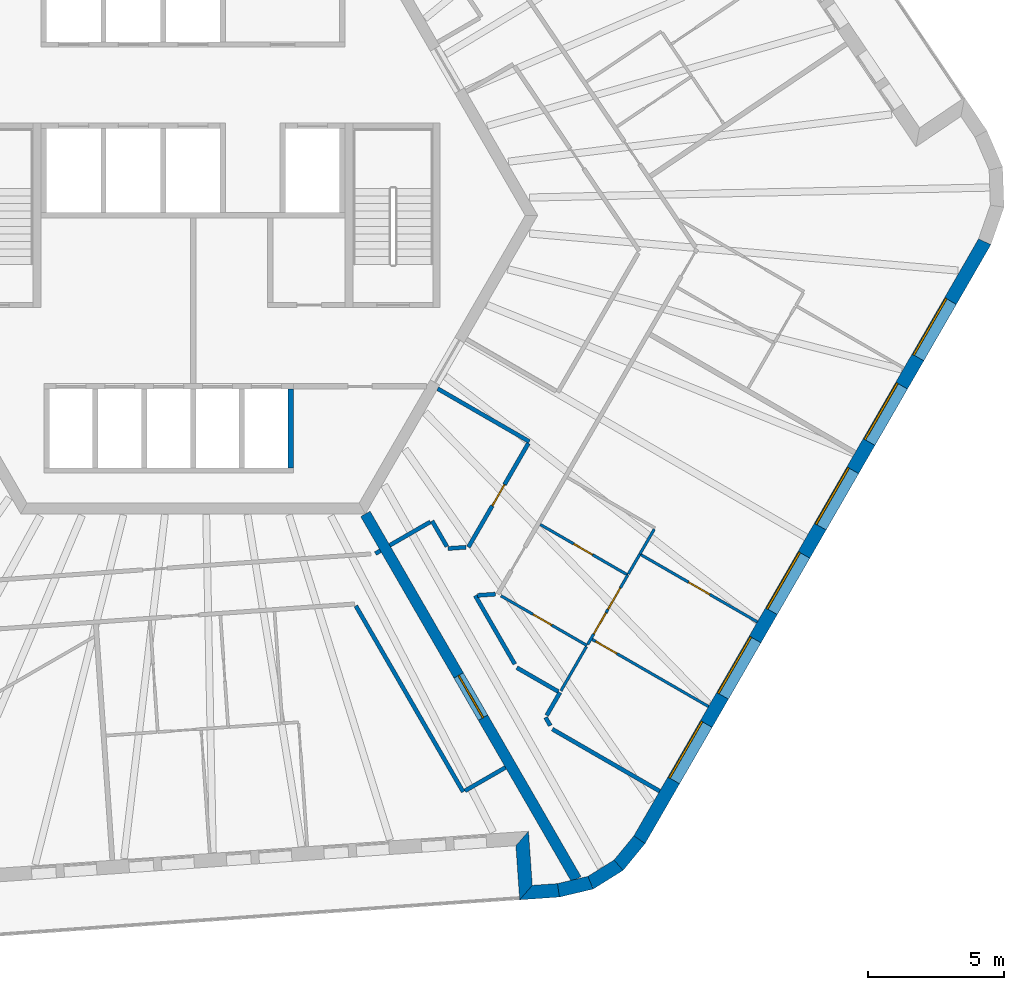
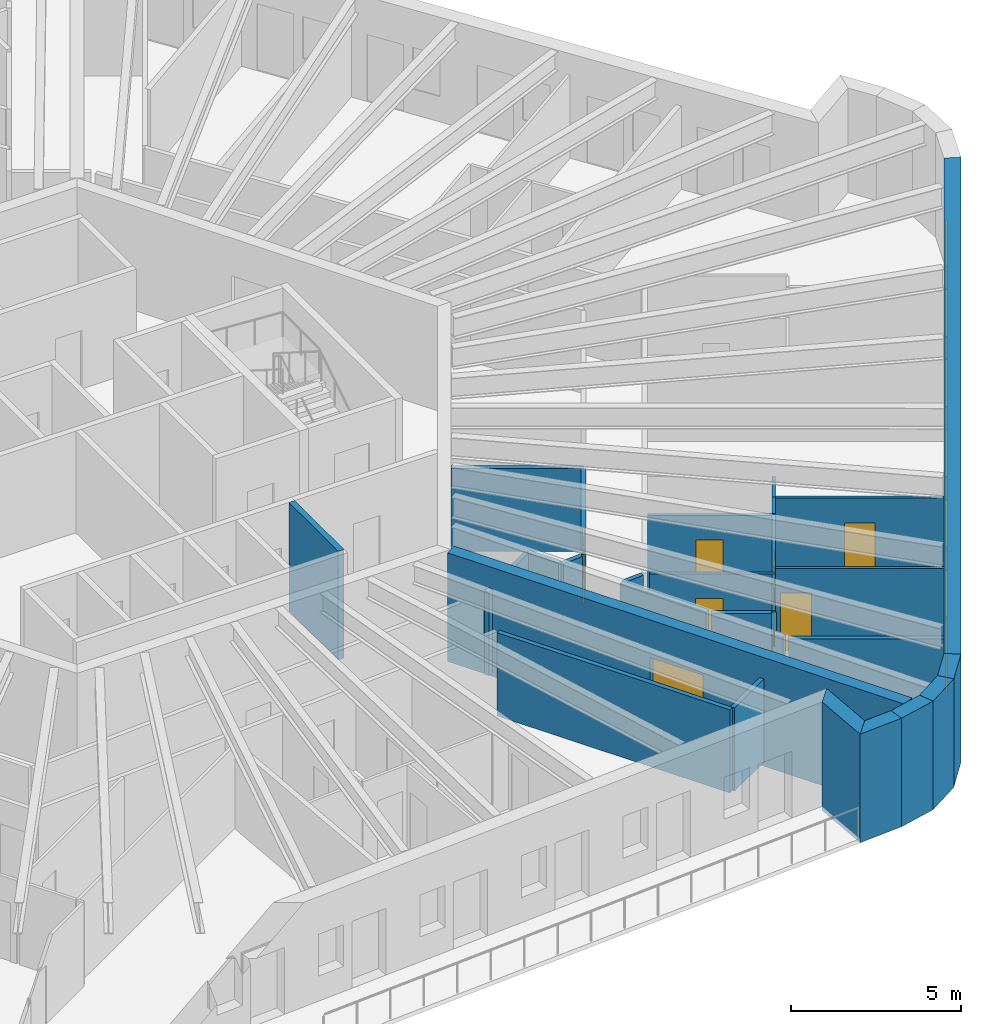
# One storey, part 6 of 12: 30 walls, 8 doors, 6 windows, 14 openings.
"""IFC4 building model written with IfcOpenShell, lengths in metres."""

import ifcopenshell
import ifcopenshell.guid

model = None  # the IFC model being written
_history = None  # IfcOwnerHistory: only IFC2X3 demands one
_inside = {}  # id of a spatial element -> (the spatial element, [elements in it])
_under = {}  # id of a project, library or spatial element -> (it, [spatial elements below it])
_declared = {}  # id of a project -> (the project, [libraries it declares])
_typed = {}  # id of a type object -> (the type object, [elements of that type])
_made_of = {}  # id of a material, layer set ... -> (it, [elements and type objects made of it])


def new_model(schema):
    """Start an empty IFC model of exactly this schema.

    Asked for "IFC4X3", IfcOpenShell would pick the latest addendum, in which some entities
    have other attributes; the version numbers below select the first issue.
    IFC2X3 requires an IfcOwnerHistory on every rooted entity: one is made here for all.
    """
    global model, _history
    if schema == "IFC4X3":
        model = ifcopenshell.file(schema_version=(4, 3, 0, 0))
    else:
        model = ifcopenshell.file(schema=schema)
    _inside.clear()
    _under.clear()
    _declared.clear()
    _typed.clear()
    _made_of.clear()
    _history = None
    if model.schema == "IFC2X3":
        org = make("IfcOrganization", Name="unknown")
        user = make(
            "IfcPersonAndOrganization",
            ThePerson=make("IfcPerson", FamilyName="unknown"),
            TheOrganization=org,
        )
        app = make(
            "IfcApplication",
            ApplicationDeveloper=org,
            Version="unknown",
            ApplicationFullName="unknown",
            ApplicationIdentifier="unknown",
        )
        _history = make(
            "IfcOwnerHistory",
            OwningUser=user,
            OwningApplication=app,
            ChangeAction="ADDED",
            CreationDate=0,
        )
    return model


def make(cls, **values):
    """One entity of the class cls with the attributes given. An attribute that is None is left unset."""
    return model.create_entity(
        cls, **{name: value for name, value in values.items() if value is not None}
    )


def rooted(cls, **values):
    """An entity with a GlobalId (a new one), such as an element, a storey or a relation."""
    return make(cls, GlobalId=ifcopenshell.guid.new(), OwnerHistory=_history, **values)


def si_unit(unit_type, name, prefix=None):
    """IfcSIUnit, for example si_unit("LENGTHUNIT", "METRE", prefix="MILLI")."""
    return make("IfcSIUnit", UnitType=unit_type, Prefix=prefix, Name=name)


def assignment(units):
    """IfcUnitAssignment: the units of a project."""
    return None if units is None else make("IfcUnitAssignment", Units=units)


def point(xyz):
    """IfcCartesianPoint."""
    return None if xyz is None else make("IfcCartesianPoint", Coordinates=xyz)


def direction(xyz):
    """IfcDirection."""
    return None if xyz is None else make("IfcDirection", DirectionRatios=xyz)


def frame(location, z_axis=None, x_axis=None):
    """IfcAxis2Placement3D, a coordinate frame: its origin and axes. An axis left out is left unset."""
    return make(
        "IfcAxis2Placement3D",
        Location=point(location),
        Axis=direction(z_axis),
        RefDirection=direction(x_axis),
    )


def frame_2d(location, x_axis=None):
    """IfcAxis2Placement2D, a coordinate frame in the plane: its origin and x axis."""
    return make(
        "IfcAxis2Placement2D", Location=point(location), RefDirection=direction(x_axis)
    )


def origin():
    """The frame at (0, 0, 0) with its axes left unset."""
    return frame((0.0, 0.0, 0.0))


def place(relative_to, where):
    """IfcLocalPlacement: puts the frame where relative to a parent placement (None: the world)."""
    return make(
        "IfcLocalPlacement", PlacementRelTo=relative_to, RelativePlacement=where
    )


def context(
    kind, dimensions, precision=None, world=None, true_north=None, identifier=None
):
    """IfcGeometricRepresentationContext, for example the 3D "Model" context."""
    return make(
        "IfcGeometricRepresentationContext",
        ContextIdentifier=identifier,
        ContextType=kind,
        CoordinateSpaceDimension=dimensions,
        Precision=precision,
        WorldCoordinateSystem=world,
        TrueNorth=true_north,
    )


def subcontext(parent, identifier, kind, view, scale=None):
    """IfcGeometricRepresentationSubContext, for example "Body" below "Model"."""
    return make(
        "IfcGeometricRepresentationSubContext",
        ContextIdentifier=identifier,
        ContextType=kind,
        ParentContext=parent,
        TargetScale=scale,
        TargetView=view,
    )


def project(units=None, contexts=None):
    """IfcProject with its units and contexts."""
    return rooted(
        "IfcProject",
        Name="project",
        RepresentationContexts=contexts,
        UnitsInContext=assignment(units),
    )


def spatial(cls, under=None, at=None, **own):
    """A site, building, storey or space (cls), placed at a placement, below another one or the project."""
    s = rooted(cls, ObjectPlacement=at, **own)
    if under is not None:
        _under.setdefault(under.id(), (under, []))[1].append(s)
    return s


def polyline(points):
    """IfcPolyline through the points."""
    return make("IfcPolyline", Points=[point(p) for p in points])


def profile(cls, at=None, kind="AREA", **sizes):
    """A parametric profile (cls). Its sizes go by their IFC names, for example OverallWidth=200.0."""
    return make(cls, ProfileType=kind, Position=at, **sizes)


def rectangle(**sizes):
    """IfcRectangleProfileDef."""
    return profile("IfcRectangleProfileDef", **sizes)


def outline(outer, holes=None, kind="AREA"):
    """IfcArbitraryClosedProfileDef: a profile drawn as a closed curve; with holes, ...WithVoids."""
    if holes is None:
        return make("IfcArbitraryClosedProfileDef", ProfileType=kind, OuterCurve=outer)
    return make(
        "IfcArbitraryProfileDefWithVoids",
        ProfileType=kind,
        OuterCurve=outer,
        InnerCurves=holes,
    )


def extrude(swept, where, along, depth):
    """IfcExtrudedAreaSolid: the profile swept, set in the frame where, extruded along a direction by depth."""
    return make(
        "IfcExtrudedAreaSolid",
        SweptArea=swept,
        Position=where,
        ExtrudedDirection=direction(along),
        Depth=depth,
    )


def shape(context_of_items, identifier, shape_type, items):
    """IfcShapeRepresentation: the items that make up one representation, for example the "Body"."""
    return make(
        "IfcShapeRepresentation",
        ContextOfItems=context_of_items,
        RepresentationIdentifier=identifier,
        RepresentationType=shape_type,
        Items=items,
    )


def material(Name=None, Category=None):
    """IfcMaterial."""
    return make("IfcMaterial", Name=Name, Category=Category)


def layer(
    of_material, thickness, ventilated=None, Name=None, Category=None, Priority=None
):
    """IfcMaterialLayer: one layer of a wall or slab, of a material (None: an air gap)."""
    return make(
        "IfcMaterialLayer",
        Material=of_material,
        LayerThickness=thickness,
        IsVentilated=ventilated,
        Name=Name,
        Category=Category,
        Priority=Priority,
    )


def layer_set(layers, Name=None):
    """IfcMaterialLayerSet."""
    return make("IfcMaterialLayerSet", MaterialLayers=layers, LayerSetName=Name)


def made_of(thing, what):
    """Note that an element or type object is made of a material, layer set ...; save() writes the relation."""
    if what is not None:
        _made_of.setdefault(what.id(), (what, []))[1].append(thing)
    return thing


def type_object(cls, material=None, **own):
    """A type object (cls), such as IfcWallType, which elements share."""
    return made_of(rooted(cls, **own), material)


def element(
    cls,
    number,
    at=None,
    inside=None,
    cuts=None,
    type_object=None,
    material=None,
    context=None,
    identifier="Body",
    shape_type=None,
    held_by="IfcProductDefinitionShape",
    body=None,
    shapes=None,
    **own,
):
    """One element of the class cls, such as IfcWall. Its Tag is "e" and its number.

    at: its placement. inside: the storey or other place that contains it. cuts: it is an
    opening in that element (IfcRelVoidsElement). A single representation is given by context,
    identifier, shape_type and body (its items); several are given by shapes. held_by: the class
    of the entity that holds the representations. save() writes the other relations.
    """
    e = rooted(cls, Tag="e%d" % number, ObjectPlacement=at, **own)
    if body is not None:
        shapes = [shape(context, identifier, shape_type, body)]
    if shapes is not None:
        e.Representation = make(held_by, Representations=shapes)
    if inside is not None:
        _inside.setdefault(inside.id(), (inside, []))[1].append(e)
    if cuts is not None:
        rooted(
            "IfcRelVoidsElement", RelatingBuildingElement=cuts, RelatedOpeningElement=e
        )
    if type_object is not None:
        _typed.setdefault(type_object.id(), (type_object, []))[1].append(e)
    return made_of(e, material)


def fill(opening, filler):
    """IfcRelFillsElement: the door or window that sits in an opening."""
    return rooted(
        "IfcRelFillsElement",
        RelatingOpeningElement=opening,
        RelatedBuildingElement=filler,
    )


def aggregate(whole, parts):
    """IfcRelAggregates: a whole, such as a stair, and the parts it consists of."""
    return rooted("IfcRelAggregates", RelatingObject=whole, RelatedObjects=parts)


def save(model, path):
    """Write the relations noted so far, then the file.

    IfcRelAggregates (storeys below a building ...), IfcRelContainedInSpatialStructure (elements
    in a storey), IfcRelDefinesByType, IfcRelAssociatesMaterial and IfcRelDeclares: one each for
    every whole, place, type object, material and project.
    """
    for whole, parts in _under.values():
        aggregate(whole, parts)
    for where, things in _inside.values():
        rooted(
            "IfcRelContainedInSpatialStructure",
            RelatedElements=things,
            RelatingStructure=where,
        )
    for kind, things in _typed.values():
        rooted("IfcRelDefinesByType", RelatedObjects=things, RelatingType=kind)
    for what, things in _made_of.values():
        rooted("IfcRelAssociatesMaterial", RelatedObjects=things, RelatingMaterial=what)
    for by, libraries in _declared.values():
        rooted("IfcRelDeclares", RelatingContext=by, RelatedDefinitions=libraries)
    model.write(path)


model = new_model("IFC4")

# Units and contexts
model_context = context("Model", 3, precision=1e-05, world=origin(), true_north=direction((0.0, 1.0)))
body_context = subcontext(model_context, "Body", "Model", "MODEL_VIEW")
ifc_project = project(units=[si_unit("LENGTHUNIT", "METRE"), si_unit("AREAUNIT", "SQUARE_METRE"), si_unit("VOLUMEUNIT", "CUBIC_METRE"), si_unit("PLANEANGLEUNIT", "RADIAN"), si_unit("MASSUNIT", "GRAM", prefix="KILO")], contexts=[model_context])

# Site, building, storey
site_placement = place(None, origin())
site = spatial("IfcSite", under=ifc_project, at=site_placement, CompositionType="ELEMENT")
building_placement = place(site_placement, origin())
building = spatial("IfcBuilding", under=site, at=building_placement, Name="Tarnside Tower", CompositionType="ELEMENT")
storey_placement = place(building_placement, frame((0.0, 0.0, 322.5)))
storey = spatial("IfcBuildingStorey", under=building, at=storey_placement, Name="L78", CompositionType="ELEMENT", Elevation=322.5)

# Wall
ifc_material_1 = material(Name="Gypsum board partition on steel studs", Category="steel")
ifc_layer_1 = layer(ifc_material_1, 0.10009765625)
ifc_layer_set_1 = layer_set([ifc_layer_1], Name="Bathroom wall 100")
wall_type_1 = type_object("IfcWallType", Name="Bathroom wall 100", PredefinedType="PARTITIONING", material=ifc_layer_set_1)
wall_1_placement = place(storey_placement, frame((16.994873046875, -11.56396484375, 0.0), z_axis=(0.0, 0.0, 1.0), x_axis=(-0.50002815445, -0.866009148195, 0.0)))
element("IfcWall", 1, at=wall_1_placement, inside=storey, type_object=wall_type_1, Name="Bathroom wall 25147", PredefinedType="PARTITIONING", context=body_context, shape_type="SweptSolid", body=[
    extrude(rectangle(XDim=1.06005859375, YDim=0.10009765625, at=frame_2d((0.530029296875, 0.0))), origin(), (0.0, 0.0, 1.0), 2.98779296875),
])

# Wall, opening, door
wall_2_placement = place(storey_placement, frame((16.02001953125, -13.252685546875, 0.0), z_axis=(0.0, 0.0, 1.0), x_axis=(-0.866028424924, 0.499994767197, 0.0)))
wall_2 = element("IfcWall", 2, at=wall_2_placement, inside=storey, type_object=wall_type_1, Name="Bathroom wall 25151", PredefinedType="PARTITIONING", context=body_context, shape_type="SweptSolid", body=[
    extrude(rectangle(XDim=3.72509765625, YDim=0.10009765625, at=frame_2d((1.862548828125, 0.0))), origin(), (0.0, 0.0, 1.0), 2.98779296875),
])
opening_1_placement = place(wall_2_placement, frame((1.5, 0.0, 0.0)))
opening_1 = element("IfcOpeningElement", 3, at=opening_1_placement, cuts=wall_2, Name="Opening D-B1", PredefinedType="OPENING", context=body_context, shape_type="SweptSolid", body=[
    extrude(rectangle(XDim=0.800048828125, YDim=2.10009765625, at=frame_2d((0.39990234375, 1.050048828125))), frame((0.0, 0.06005859375, 0.0), z_axis=(0.0, -1.0, 0.0), x_axis=(1.0, 0.0, 0.0)), (0.0, 0.0, 1.0), 0.1201171875),
])
ifc_material_2 = material(Name="Timber door leaf", Category="wood")
door_type_1 = type_object("IfcDoorType", Name="Bathroom door 800", OperationType="NOTDEFINED", PredefinedType="DOOR", material=ifc_material_2)
door_1_placement = place(opening_1_placement, origin())
door_1 = element("IfcDoor", 4, at=door_1_placement, inside=storey, type_object=door_type_1, Name="Bathroom door 25048", OperationType="SINGLE_SWING_LEFT", OverallHeight=2.10009765625, OverallWidth=0.800048828125, PredefinedType="DOOR", context=body_context, shape_type="SweptSolid", body=[
    extrude(rectangle(XDim=0.800048828125, YDim=2.10009765625, at=frame_2d((0.39990234375, 1.050048828125))), frame((0.0, 0.02490234375, 0.0), z_axis=(0.0, -1.0, 0.0), x_axis=(1.0, 0.0, 0.0)), (0.0, 0.0, 1.0), 0.050048828125),
])
fill(opening_1, door_1)

wall_3_placement = place(storey_placement, frame((11.34521484375, -14.017822265625, 0.0), z_axis=(0.0, 0.0, 1.0), x_axis=(0.866050287132, -0.499956898301, 0.0)))
wall_3 = element("IfcWall", 5, at=wall_3_placement, inside=storey, type_object=wall_type_1, Name="Bathroom wall 25154", PredefinedType="PARTITIONING", context=body_context, shape_type="SweptSolid", body=[
    extrude(rectangle(XDim=3.665771484375, YDim=0.10009765625, at=frame_2d((1.8330078125, 0.0))), origin(), (0.0, 0.0, 1.0), 2.98779296875),
])
opening_2_placement = place(wall_3_placement, frame((1.365966796875, 0.0, 0.0)))
opening_2 = element("IfcOpeningElement", 6, at=opening_2_placement, cuts=wall_3, Name="Opening D-B1", PredefinedType="OPENING", context=body_context, shape_type="SweptSolid", body=[
    extrude(rectangle(XDim=0.800048828125, YDim=2.10009765625, at=frame_2d((0.39990234375, 1.050048828125))), frame((0.0, 0.06005859375, 0.0), z_axis=(0.0, -1.0, 0.0), x_axis=(1.0, 0.0, 0.0)), (0.0, 0.0, 1.0), 0.1201171875),
])
door_2_placement = place(opening_2_placement, origin())
door_2 = element("IfcDoor", 7, at=door_2_placement, inside=storey, type_object=door_type_1, Name="Bathroom door 25056", OperationType="SINGLE_SWING_RIGHT", OverallHeight=2.10009765625, OverallWidth=0.800048828125, PredefinedType="DOOR", context=body_context, shape_type="SweptSolid", body=[
    extrude(rectangle(XDim=0.800048828125, YDim=2.10009765625, at=frame_2d((0.39990234375, 1.050048828125))), frame((0.0, 0.02490234375, 0.0), z_axis=(0.0, -1.0, 0.0), x_axis=(1.0, 0.0, 0.0)), (0.0, 0.0, 1.0), 0.050048828125),
])
fill(opening_2, door_2)

# Walls
wall_4_placement = place(storey_placement, frame((16.0439453125, -13.2109375, 0.0), z_axis=(0.0, 0.0, 1.0), x_axis=(0.499997969693, 0.866026575979, 0.0)))
element("IfcWall", 8, at=wall_4_placement, inside=storey, type_object=wall_type_1, Name="Bathroom wall 25155", PredefinedType="PARTITIONING", context=body_context, shape_type="SweptSolid", body=[
    extrude(rectangle(XDim=0.84375, YDim=0.10009765625, at=frame_2d((0.421875, 0.0))), origin(), (0.0, 0.0, 1.0), 2.98779296875),
])
wall_5_placement = place(storey_placement, frame((14.494873046875, -15.89404296875, 0.0), z_axis=(0.0, 0.0, 1.0), x_axis=(-0.500004234368, -0.866022959057, 0.0)))
element("IfcWall", 9, at=wall_5_placement, inside=storey, type_object=wall_type_1, Name="Bathroom wall 25157", PredefinedType="PARTITIONING", context=body_context, shape_type="SweptSolid", body=[
    extrude(rectangle(XDim=1.875, YDim=0.10009765625, at=frame_2d((0.9375, 0.0))), origin(), (0.0, 0.0, 1.0), 2.98779296875),
])

# Wall, opening, door
ifc_material_3 = material(Name="Concrete C60/75", Category="concrete")
ifc_layer_2 = layer(ifc_material_3, 0.39990234375)
ifc_layer_set_2 = layer_set([ifc_layer_2], Name="Core wall Z3 400 C60/75")
wall_type_2 = type_object("IfcWallType", Name="Core wall Z3 400 C60/75", PredefinedType="SHEAR", material=ifc_layer_set_2)
wall_6_placement = place(storey_placement, frame((6.350830078125, -11.0, -0.14990234375), z_axis=(0.0, 0.0, 1.0), x_axis=(0.499998894578, -0.866026041999, 0.0)))
wall_6 = element("IfcWall", 10, at=wall_6_placement, inside=storey, type_object=wall_type_2, Name="L78 spine wall 3", PredefinedType="SHEAR", context=body_context, shape_type="SweptSolid", body=[
    extrude(rectangle(XDim=15.54443359375, YDim=0.39990234375, at=frame_2d((7.772216796875, 0.0))), origin(), (0.0, 0.0, 1.0), 3.89990234375),
])
opening_3_placement = place(wall_6_placement, frame((6.872314453125, 0.0, 0.14990234375)))
opening_3 = element("IfcOpeningElement", 11, at=opening_3_placement, cuts=wall_6, Name="Opening CD-SPN", PredefinedType="OPENING", context=body_context, shape_type="SweptSolid", body=[
    extrude(rectangle(XDim=1.800048828125, YDim=2.39990234375, at=frame_2d((0.89990234375, 1.199951171875))), frame((0.0, 0.2099609375, 0.0), z_axis=(0.0, -1.0, 0.0), x_axis=(1.0, 0.0, 0.0)), (0.0, 0.0, 1.0), 0.419921875),
])
ifc_material_4 = material(Name="Steel fire door", Category="steel")
door_type_2 = type_object("IfcDoorType", Name="Spine passage double door FD60 1800x2400", OperationType="NOTDEFINED", PredefinedType="DOOR", material=ifc_material_4)
door_3_placement = place(opening_3_placement, origin())
door_3 = element("IfcDoor", 12, at=door_3_placement, inside=storey, type_object=door_type_2, Name="L78 spine passage door 3", OperationType="DOUBLE_DOOR_SINGLE_SWING", OverallHeight=2.39990234375, OverallWidth=1.800048828125, PredefinedType="DOOR", context=body_context, shape_type="SweptSolid", body=[
    extrude(rectangle(XDim=1.800048828125, YDim=2.39990234375, at=frame_2d((0.89990234375, 1.199951171875))), frame((0.0, 0.02490234375, 0.0), z_axis=(0.0, -1.0, 0.0), x_axis=(1.0, 0.0, 0.0)), (0.0, 0.0, 1.0), 0.050048828125),
])
fill(opening_3, door_3)

# Walls
ifc_layer_3 = layer(ifc_material_1, 0.14990234375)
ifc_layer_set_3 = layer_set([ifc_layer_3], Name="Corridor wall 150 EI 60")
wall_type_3 = type_object("IfcWallType", Name="Corridor wall 150 EI 60", PredefinedType="PARTITIONING", material=ifc_layer_set_3)
wall_7_placement = place(storey_placement, frame((5.99951171875, -14.3916015625, 0.0), z_axis=(0.0, 0.0, 1.0), x_axis=(0.499999400414, -0.866025749955, 0.0)))
element("IfcWall", 13, at=wall_7_placement, inside=storey, type_object=wall_type_3, Name="Corridor wall 25039", PredefinedType="PARTITIONING", context=body_context, shape_type="SweptSolid", body=[
    extrude(rectangle(XDim=7.91064453125, YDim=0.14990234375, at=frame_2d((3.955322265625, 0.0))), origin(), (0.0, 0.0, 1.0), 2.98779296875),
])
wall_8_placement = place(storey_placement, frame((10.019775390625, -21.204833984375, 0.0), z_axis=(0.0, 0.0, 1.0), x_axis=(0.866074815912, 0.499914405916, 0.0)))
element("IfcWall", 14, at=wall_8_placement, inside=storey, type_object=wall_type_3, Name="Corridor wall 25040", PredefinedType="PARTITIONING", context=body_context, shape_type="SweptSolid", body=[
    extrude(rectangle(XDim=1.724853515625, YDim=0.14990234375, at=frame_2d((0.8623046875, 0.0))), origin(), (0.0, 0.0, 1.0), 2.98779296875),
])
wall_9_placement = place(storey_placement, frame((6.903076171875, -12.3564453125, 0.0), z_axis=(0.0, 0.0, 1.0), x_axis=(-0.866088799389, -0.499890179513, 0.0)))
element("IfcWall", 15, at=wall_9_placement, inside=storey, type_object=wall_type_3, Name="Corridor wall 25049", PredefinedType="PARTITIONING", context=body_context, shape_type="SweptSolid", body=[
    extrude(rectangle(XDim=0.2099609375, YDim=0.14990234375, at=frame_2d((0.10498046875, 0.0))), origin(), (0.0, 0.0, 1.0), 2.98779296875),
])
wall_10_placement = place(storey_placement, frame((17.196044921875, -21.215576171875, 0.0), z_axis=(0.0, 0.0, 1.0), x_axis=(-0.866028083473, 0.499995358614, 0.0)))
element("IfcWall", 16, at=wall_10_placement, inside=storey, type_object=wall_type_3, Name="Corridor wall 25056", PredefinedType="PARTITIONING", context=body_context, shape_type="SweptSolid", body=[
    extrude(rectangle(XDim=4.56884765625, YDim=0.14990234375, at=frame_2d((2.284423828125, 0.0))), origin(), (0.0, 0.0, 1.0), 2.98779296875),
])
wall_11_placement = place(storey_placement, frame((13.164306640625, -18.80126953125, 0.0), z_axis=(0.0, 0.0, 1.0), x_axis=(-0.499762962979, 0.866162213927, 0.0)))
element("IfcWall", 17, at=wall_11_placement, inside=storey, type_object=wall_type_3, Name="Corridor wall 25057", PredefinedType="PARTITIONING", context=body_context, shape_type="SweptSolid", body=[
    extrude(rectangle(XDim=0.347900390625, YDim=0.14990234375, at=frame_2d((0.173828125, 0.0))), origin(), (0.0, 0.0, 1.0), 2.98779296875),
])
wall_12_placement = place(storey_placement, frame((13.03369140625, -18.425048828125, 0.0), z_axis=(0.0, 0.0, 1.0), x_axis=(0.500011000363, 0.866019052629, 0.0)))
element("IfcWall", 18, at=wall_12_placement, inside=storey, type_object=wall_type_3, Name="Corridor wall 25058", PredefinedType="PARTITIONING", context=body_context, shape_type="SweptSolid", body=[
    extrude(rectangle(XDim=0.9765625, YDim=0.14990234375, at=frame_2d((0.48828125, 0.0))), origin(), (0.0, 0.0, 1.0), 2.98779296875),
])
wall_13_placement = place(storey_placement, frame((13.455078125, -17.545166015625, 0.0), z_axis=(0.0, 0.0, 1.0), x_axis=(-0.866074688284, 0.499914627025, 0.0)))
element("IfcWall", 19, at=wall_13_placement, inside=storey, type_object=wall_type_3, Name="Corridor wall 25059", PredefinedType="PARTITIONING", context=body_context, shape_type="SweptSolid", body=[
    extrude(rectangle(XDim=1.759521484375, YDim=0.14990234375, at=frame_2d((0.8798828125, 0.0))), origin(), (0.0, 0.0, 1.0), 2.98779296875),
])
wall_14_placement = place(storey_placement, frame((11.856201171875, -16.53564453125, 0.0), z_axis=(0.0, 0.0, 1.0), x_axis=(-0.49996389635, 0.866046247233, 0.0)))
element("IfcWall", 20, at=wall_14_placement, inside=storey, type_object=wall_type_3, Name="Corridor wall 25060", PredefinedType="PARTITIONING", context=body_context, shape_type="SweptSolid", body=[
    extrude(rectangle(XDim=2.917724609375, YDim=0.14990234375, at=frame_2d((1.458984375, 0.0))), origin(), (0.0, 0.0, 1.0), 2.98779296875),
])
wall_15_placement = place(storey_placement, frame((10.480712890625, -14.0029296875, 0.0), z_axis=(0.0, 0.0, 1.0), x_axis=(0.997577490052, 0.06956400895, 0.0)))
element("IfcWall", 21, at=wall_15_placement, inside=storey, type_object=wall_type_3, Name="Corridor wall 25061", PredefinedType="PARTITIONING", context=body_context, shape_type="SweptSolid", body=[
    extrude(rectangle(XDim=0.659912109375, YDim=0.14990234375, at=frame_2d((0.330078125, 0.0))), origin(), (0.0, 0.0, 1.0), 2.98779296875),
])
wall_16_placement = place(storey_placement, frame((9.015625, -6.38427734375, 0.0), z_axis=(0.0, 0.0, 1.0), x_axis=(0.866042777325, -0.499969906938, 0.0)))
element("IfcWall", 22, at=wall_16_placement, inside=storey, type_object=wall_type_3, Name="Corridor wall 25077", PredefinedType="PARTITIONING", context=body_context, shape_type="SweptSolid", body=[
    extrude(rectangle(XDim=3.900146484375, YDim=0.14990234375, at=frame_2d((1.9501953125, 0.0))), origin(), (0.0, 0.0, 1.0), 2.98779296875),
])

# Wall, opening, door
wall_17_placement = place(storey_placement, frame((12.355712890625, -8.399169921875, 0.0), z_axis=(0.0, 0.0, 1.0), x_axis=(-0.499993756358, -0.866029008523, 0.0)))
wall_17 = element("IfcWall", 23, at=wall_17_placement, inside=storey, type_object=wall_type_3, Name="Corridor wall 25078", PredefinedType="PARTITIONING", context=body_context, shape_type="SweptSolid", body=[
    extrude(rectangle(XDim=4.4140625, YDim=0.14990234375, at=frame_2d((2.20703125, 0.0))), origin(), (0.0, 0.0, 1.0), 2.98779296875),
])
opening_4_placement = place(wall_17_placement, frame((1.7568359375, 0.0, 0.0)))
opening_4 = element("IfcOpeningElement", 24, at=opening_4_placement, cuts=wall_17, Name="Opening D-S1", PredefinedType="OPENING", context=body_context, shape_type="SweptSolid", body=[
    extrude(rectangle(XDim=0.89990234375, YDim=2.10009765625, at=frame_2d((0.449951171875, 1.050048828125))), frame((0.0, 0.0849609375, 0.0), z_axis=(0.0, -1.0, 0.0), x_axis=(1.0, 0.0, 0.0)), (0.0, 0.0, 1.0), 0.169921875),
])
door_type_3 = type_object("IfcDoorType", Name="Service room door 900 FD30S", OperationType="NOTDEFINED", PredefinedType="DOOR", material=ifc_material_2)
door_4_placement = place(opening_4_placement, origin())
door_4 = element("IfcDoor", 25, at=door_4_placement, inside=storey, type_object=door_type_3, Name="Service door 25076", OperationType="SINGLE_SWING_LEFT", OverallHeight=2.10009765625, OverallWidth=0.89990234375, PredefinedType="DOOR", context=body_context, shape_type="SweptSolid", body=[
    extrude(rectangle(XDim=0.89990234375, YDim=2.10009765625, at=frame_2d((0.449951171875, 1.050048828125))), frame((0.0, 0.02490234375, 0.0), z_axis=(0.0, -1.0, 0.0), x_axis=(1.0, 0.0, 0.0)), (0.0, 0.0, 1.0), 0.050048828125),
])
fill(opening_4, door_4)

# Walls
wall_18_placement = place(storey_placement, frame((10.05859375, -12.22802734375, 0.0), z_axis=(0.0, 0.0, 1.0), x_axis=(-0.99755845504, -0.069836443057, 0.0)))
element("IfcWall", 26, at=wall_18_placement, inside=storey, type_object=wall_type_3, Name="Corridor wall 25079", PredefinedType="PARTITIONING", context=body_context, shape_type="SweptSolid", body=[
    extrude(rectangle(XDim=0.664306640625, YDim=0.14990234375, at=frame_2d((0.33203125, 0.0))), origin(), (0.0, 0.0, 1.0), 2.98779296875),
])
wall_19_placement = place(storey_placement, frame((9.354248046875, -12.2021484375, 0.0), z_axis=(0.0, 0.0, 1.0), x_axis=(-0.499986987217, 0.866032916588, 0.0)))
element("IfcWall", 27, at=wall_19_placement, inside=storey, type_object=wall_type_3, Name="Corridor wall 25080", PredefinedType="PARTITIONING", context=body_context, shape_type="SweptSolid", body=[
    extrude(rectangle(XDim=1.091796875, YDim=0.14990234375, at=frame_2d((0.5458984375, 0.0))), origin(), (0.0, 0.0, 1.0), 2.98779296875),
])
wall_20_placement = place(storey_placement, frame((8.743408203125, -11.2939453125, 0.0), z_axis=(0.0, 0.0, 1.0), x_axis=(-0.866013532718, -0.500020560727, 0.0)))
element("IfcWall", 28, at=wall_20_placement, inside=storey, type_object=wall_type_3, Name="Corridor wall 25081", PredefinedType="PARTITIONING", context=body_context, shape_type="SweptSolid", body=[
    extrude(rectangle(XDim=1.72509765625, YDim=0.14990234375, at=frame_2d((0.862548828125, 0.0))), origin(), (0.0, 0.0, 1.0), 2.98779296875),
])
ifc_material_5 = material(Name="Concrete C40/50", Category="concrete")
ifc_layer_4 = layer(ifc_material_5, 0.199951171875)
ifc_layer_set_4 = layer_set([ifc_layer_4], Name="Lift shaft wall 200 C40/50")
wall_type_4 = type_object("IfcWallType", Name="Lift shaft wall 200 C40/50", PredefinedType="SHEAR", material=ifc_layer_set_4)
wall_21_placement = place(storey_placement, frame((3.60009765625, -9.300048828125, -0.25), z_axis=(0.0, 0.0, 1.0), x_axis=(0.0, 1.0, 0.0)))
element("IfcWall", 29, at=wall_21_placement, inside=storey, type_object=wall_type_4, Name="L78 lift shaft partition R46", PredefinedType="SHEAR", context=body_context, shape_type="SweptSolid", body=[
    extrude(rectangle(XDim=2.900146484375, YDim=0.199951171875, at=frame_2d((1.4501953125, 0.0))), origin(), (0.0, 0.0, 1.0), 3.89990234375),
])
ifc_material_6 = material(Name="Dark zinc cladding")
ifc_layer_5 = layer(ifc_material_6, 0.10205078125)
ifc_material_7 = material(Name="Concrete C60/75 precast", Category="concrete")
ifc_layer_6 = layer(ifc_material_7, 0.298095703125)
ifc_material_8 = material(Name="Mineral wool insulation")
ifc_layer_7 = layer(ifc_material_8, 0.10009765625)
ifc_layer_set_5 = layer_set([ifc_layer_5, ifc_layer_6, ifc_layer_7], Name="Loggia wall 500 zinc faced")
wall_type_5 = type_object("IfcWallType", Name="Loggia wall 500 zinc faced", PredefinedType="SOLIDWALL", material=ifc_layer_set_5)
wall_22_placement = place(storey_placement, frame((12.128662109375, -22.9599609375, -0.14990234375), z_axis=(0.0, 0.0, 1.0), x_axis=(0.069824268692, -0.99755930726, 0.0)))
element("IfcWall", 30, at=wall_22_placement, inside=storey, type_object=wall_type_5, Name="Tube wall L78 F4 return 19", PredefinedType="SOLIDWALL", context=body_context, shape_type="SweptSolid", body=[
    extrude(outline(polyline([(0.25, -0.25), (2.25, -0.25), (1.75, 0.25), (-0.25, 0.25), (0.25, -0.25)])), origin(), (0.0, 0.0, 1.0), 3.89990234375),
])
wall_23_placement = place(storey_placement, frame((12.268310546875, -24.955078125, -0.14990234375), z_axis=(0.0, 0.0, 1.0), x_axis=(0.997561942506, 0.06978660948, 0.0)))
element("IfcWall", 31, at=wall_23_placement, inside=storey, type_object=wall_type_5, Name="Tube wall L78 F4 stub 20", PredefinedType="SOLIDWALL", context=body_context, shape_type="SweptSolid", body=[
    extrude(outline(polyline([(-0.25, -0.25), (1.220458984375, -0.25), (1.179443359375, 0.25), (0.25, 0.25), (-0.25, -0.25)])), origin(), (0.0, 0.0, 1.0), 3.89990234375),
])

# Wall, opening, door
ifc_layer_8 = layer(ifc_material_1, 0.10009765625)
ifc_layer_set_6 = layer_set([ifc_layer_8], Name="Partition 100")
wall_type_6 = type_object("IfcWallType", Name="Partition 100", PredefinedType="PARTITIONING", material=ifc_layer_set_6)
wall_24_placement = place(storey_placement, frame((16.50927734375, -12.505126953125, 0.0), z_axis=(0.0, 0.0, 1.0), x_axis=(0.866018855338, -0.500011342071, 0.0)))
wall_24 = element("IfcWall", 32, at=wall_24_placement, inside=storey, type_object=wall_type_6, Name="Partition wall 25148", PredefinedType="PARTITIONING", context=body_context, shape_type="SweptSolid", body=[
    extrude(rectangle(XDim=4.9501953125, YDim=0.10009765625, at=frame_2d((2.47509765625, 0.0))), origin(), (0.0, 0.0, 1.0), 2.98779296875),
])
opening_5_placement = place(wall_24_placement, frame((2.02490234375, 0.0, 0.0)))
opening_5 = element("IfcOpeningElement", 33, at=opening_5_placement, cuts=wall_24, Name="Opening D-I1", PredefinedType="OPENING", context=body_context, shape_type="SweptSolid", body=[
    extrude(rectangle(XDim=0.89990234375, YDim=2.10009765625, at=frame_2d((0.449951171875, 1.050048828125))), frame((0.0, 0.06005859375, 0.0), z_axis=(0.0, -1.0, 0.0), x_axis=(1.0, 0.0, 0.0)), (0.0, 0.0, 1.0), 0.1201171875),
])
door_type_4 = type_object("IfcDoorType", Name="Internal door 900", OperationType="NOTDEFINED", PredefinedType="DOOR", material=ifc_material_2)
door_5_placement = place(opening_5_placement, origin())
door_5 = element("IfcDoor", 34, at=door_5_placement, inside=storey, type_object=door_type_4, Name="Internal door 25070", OperationType="SINGLE_SWING_RIGHT", OverallHeight=2.10009765625, OverallWidth=0.89990234375, PredefinedType="DOOR", context=body_context, shape_type="SweptSolid", body=[
    extrude(rectangle(XDim=0.89990234375, YDim=2.10009765625, at=frame_2d((0.449951171875, 1.050048828125))), frame((0.0, 0.02490234375, 0.0), z_axis=(0.0, -1.0, 0.0), x_axis=(1.0, 0.0, 0.0)), (0.0, 0.0, 1.0), 0.050048828125),
])
fill(opening_5, door_5)

# Wall, openings, doors
wall_25_placement = place(storey_placement, frame((14.5439453125, -15.80908203125, 0.0), z_axis=(0.0, 0.0, 1.0), x_axis=(0.500032473623, 0.866006654318, 0.0)))
wall_25 = element("IfcWall", 35, at=wall_25_placement, inside=storey, type_object=wall_type_6, Name="Partition wall 25152", PredefinedType="PARTITIONING", context=body_context, shape_type="SweptSolid", body=[
    extrude(rectangle(XDim=2.953857421875, YDim=0.10009765625, at=frame_2d((1.47705078125, 0.0))), origin(), (0.0, 0.0, 1.0), 2.98779296875),
])
opening_6_placement = place(wall_25_placement, frame((0.44384765625, 0.0, 0.0)))
opening_6 = element("IfcOpeningElement", 36, at=opening_6_placement, cuts=wall_25, Name="Opening D-I1", PredefinedType="OPENING", context=body_context, shape_type="SweptSolid", body=[
    extrude(rectangle(XDim=0.89990234375, YDim=2.10009765625, at=frame_2d((0.449951171875, 1.050048828125))), frame((0.0, 0.06005859375, 0.0), z_axis=(0.0, -1.0, 0.0), x_axis=(1.0, 0.0, 0.0)), (0.0, 0.0, 1.0), 0.1201171875),
])
opening_7_placement = place(wall_25_placement, frame((1.498046875, 0.0, 0.0)))
opening_7 = element("IfcOpeningElement", 37, at=opening_7_placement, cuts=wall_25, Name="Opening D-I1", PredefinedType="OPENING", context=body_context, shape_type="SweptSolid", body=[
    extrude(rectangle(XDim=0.89990234375, YDim=2.10009765625, at=frame_2d((0.449951171875, 1.050048828125))), frame((0.0, 0.06005859375, 0.0), z_axis=(0.0, -1.0, 0.0), x_axis=(1.0, 0.0, 0.0)), (0.0, 0.0, 1.0), 0.1201171875),
])
door_6_placement = place(opening_6_placement, origin())
door_6 = element("IfcDoor", 38, at=door_6_placement, inside=storey, type_object=door_type_4, Name="Internal door 25051", OperationType="SINGLE_SWING_LEFT", OverallHeight=2.10009765625, OverallWidth=0.89990234375, PredefinedType="DOOR", context=body_context, shape_type="SweptSolid", body=[
    extrude(rectangle(XDim=0.89990234375, YDim=2.10009765625, at=frame_2d((0.449951171875, 1.050048828125))), frame((0.0, 0.02490234375, 0.0), z_axis=(0.0, -1.0, 0.0), x_axis=(1.0, 0.0, 0.0)), (0.0, 0.0, 1.0), 0.050048828125),
])
fill(opening_6, door_6)
door_7_placement = place(opening_7_placement, origin())
door_7 = element("IfcDoor", 39, at=door_7_placement, inside=storey, type_object=door_type_4, Name="Internal door 25055", OperationType="SINGLE_SWING_LEFT", OverallHeight=2.10009765625, OverallWidth=0.89990234375, PredefinedType="DOOR", context=body_context, shape_type="SweptSolid", body=[
    extrude(rectangle(XDim=0.89990234375, YDim=2.10009765625, at=frame_2d((0.449951171875, 1.050048828125))), frame((0.0, 0.02490234375, 0.0), z_axis=(0.0, -1.0, 0.0), x_axis=(1.0, 0.0, 0.0)), (0.0, 0.0, 1.0), 0.050048828125),
])
fill(opening_7, door_7)

# Wall, opening, door
wall_26_placement = place(storey_placement, frame((18.99609375, -18.097900390625, 0.0), z_axis=(0.0, 0.0, 1.0), x_axis=(-0.866018855338, 0.500011342071, 0.0)))
wall_26 = element("IfcWall", 40, at=wall_26_placement, inside=storey, type_object=wall_type_6, Name="Partition wall 25156", PredefinedType="PARTITIONING", context=body_context, shape_type="SweptSolid", body=[
    extrude(rectangle(XDim=4.9501953125, YDim=0.10009765625, at=frame_2d((2.47509765625, 0.0))), origin(), (0.0, 0.0, 1.0), 2.98779296875),
])
opening_8_placement = place(wall_26_placement, frame((3.89990234375, 0.0, 0.0)))
opening_8 = element("IfcOpeningElement", 41, at=opening_8_placement, cuts=wall_26, Name="Opening D-I1", PredefinedType="OPENING", context=body_context, shape_type="SweptSolid", body=[
    extrude(rectangle(XDim=0.89990234375, YDim=2.10009765625, at=frame_2d((0.449951171875, 1.050048828125))), frame((0.0, 0.06005859375, 0.0), z_axis=(0.0, -1.0, 0.0), x_axis=(1.0, 0.0, 0.0)), (0.0, 0.0, 1.0), 0.1201171875),
])
door_8_placement = place(opening_8_placement, origin())
door_8 = element("IfcDoor", 42, at=door_8_placement, inside=storey, type_object=door_type_4, Name="Internal door 25054", OperationType="SINGLE_SWING_RIGHT", OverallHeight=2.10009765625, OverallWidth=0.89990234375, PredefinedType="DOOR", context=body_context, shape_type="SweptSolid", body=[
    extrude(rectangle(XDim=0.89990234375, YDim=2.10009765625, at=frame_2d((0.449951171875, 1.050048828125))), frame((0.0, 0.02490234375, 0.0), z_axis=(0.0, -1.0, 0.0), x_axis=(1.0, 0.0, 0.0)), (0.0, 0.0, 1.0), 0.050048828125),
])
fill(opening_8, door_8)

# Walls
ifc_material_9 = material(Name="Facing brick", Category="masonry")
ifc_layer_9 = layer(ifc_material_9, 0.10205078125)
ifc_layer_10 = layer(ifc_material_7, 0.298095703125)
ifc_layer_11 = layer(ifc_material_8, 0.10009765625)
ifc_layer_set_7 = layer_set([ifc_layer_9, ifc_layer_10, ifc_layer_11], Name="Tube wall 500 brick faced")
wall_type_7 = type_object("IfcWallType", Name="Tube wall 500 brick faced", PredefinedType="SOLIDWALL", material=ifc_layer_set_7)
wall_27_placement = place(storey_placement, frame((13.46533203125, -24.871337890625, -0.14990234375), z_axis=(0.0, 0.0, 1.0), x_axis=(0.973044740285, 0.230616420501, 0.0)))
element("IfcWall", 43, at=wall_27_placement, inside=storey, type_object=wall_type_7, Name="Tube wall L78 F4 chord 21", PredefinedType="SOLIDWALL", context=body_context, shape_type="SweptSolid", body=[
    extrude(outline(polyline([(-0.0205078125, -0.25), (1.25732421875, -0.25), (1.17529296875, 0.25), (0.0205078125, 0.25), (-0.0205078125, -0.25)])), origin(), (0.0, 0.0, 1.0), 3.89990234375),
])
wall_28_placement = place(storey_placement, frame((14.64892578125, -24.5908203125, -0.14990234375), z_axis=(0.0, 0.0, 1.0), x_axis=(0.848054682072, 0.529908724419, 0.0)))
element("IfcWall", 44, at=wall_28_placement, inside=storey, type_object=wall_type_7, Name="Tube wall L78 F4 chord 22", PredefinedType="SOLIDWALL", context=body_context, shape_type="SweptSolid", body=[
    extrude(outline(polyline([(-0.041015625, -0.25), (1.25732421875, -0.25), (1.17529296875, 0.25), (0.041015625, 0.25), (-0.041015625, -0.25)])), origin(), (0.0, 0.0, 1.0), 3.89990234375),
])
wall_29_placement = place(storey_placement, frame((15.680419921875, -23.9462890625, -0.14990234375), z_axis=(0.0, 0.0, 1.0), x_axis=(0.633805934167, 0.773492105852, 0.0)))
element("IfcWall", 45, at=wall_29_placement, inside=storey, type_object=wall_type_7, Name="Tube wall L78 F4 chord 23", PredefinedType="SOLIDWALL", context=body_context, shape_type="SweptSolid", body=[
    extrude(outline(polyline([(-0.041015625, -0.25), (1.237060546875, -0.25), (1.196044921875, 0.25), (0.041015625, 0.25), (-0.041015625, -0.25)])), origin(), (0.0, 0.0, 1.0), 3.89990234375),
])

# Wall, openings, windows
wall_30_placement = place(storey_placement, frame((16.451416015625, -23.00537109375, -0.14990234375), z_axis=(0.0, 0.0, 1.0), x_axis=(0.500003737743, 0.866023245787, 0.0)))
wall_30 = element("IfcWall", 46, at=wall_30_placement, inside=storey, type_object=wall_type_7, Name="Tube wall L78 F5 flush 24", PredefinedType="SOLIDWALL", context=body_context, shape_type="SweptSolid", body=[
    extrude(outline(polyline([(-0.0205078125, -0.25), (25.468017578125, -0.25), (25.421142578125, 0.25), (0.0205078125, 0.25), (-0.0205078125, -0.25)])), origin(), (0.0, 0.0, 1.0), 3.89990234375),
])
opening_9_placement = place(wall_30_placement, frame((2.5224609375, 0.0, 0.75)))
opening_9 = element("IfcOpeningElement", 47, at=opening_9_placement, cuts=wall_30, Name="Opening WR", PredefinedType="OPENING", context=body_context, shape_type="SweptSolid", body=[
    extrude(rectangle(XDim=2.39990234375, YDim=2.699951171875, at=frame_2d((1.199951171875, 1.35009765625))), frame((0.0, 0.260009765625, 0.0), z_axis=(0.0, -1.0, 0.0), x_axis=(1.0, 0.0, 0.0)), (0.0, 0.0, 1.0), 0.52001953125),
])
opening_10_placement = place(wall_30_placement, frame((6.122314453125, 0.0, 0.75)))
opening_10 = element("IfcOpeningElement", 48, at=opening_10_placement, cuts=wall_30, Name="Opening WR", PredefinedType="OPENING", context=body_context, shape_type="SweptSolid", body=[
    extrude(rectangle(XDim=2.39990234375, YDim=2.699951171875, at=frame_2d((1.199951171875, 1.35009765625))), frame((0.0, 0.260009765625, 0.0), z_axis=(0.0, -1.0, 0.0), x_axis=(1.0, 0.0, 0.0)), (0.0, 0.0, 1.0), 0.52001953125),
])
opening_11_placement = place(wall_30_placement, frame((9.722412109375, 0.0, 0.75)))
opening_11 = element("IfcOpeningElement", 49, at=opening_11_placement, cuts=wall_30, Name="Opening WR", PredefinedType="OPENING", context=body_context, shape_type="SweptSolid", body=[
    extrude(rectangle(XDim=2.39990234375, YDim=2.699951171875, at=frame_2d((1.199951171875, 1.35009765625))), frame((0.0, 0.260009765625, 0.0), z_axis=(0.0, -1.0, 0.0), x_axis=(1.0, 0.0, 0.0)), (0.0, 0.0, 1.0), 0.52001953125),
])
opening_12_placement = place(wall_30_placement, frame((13.322509765625, 0.0, 0.75)))
opening_12 = element("IfcOpeningElement", 50, at=opening_12_placement, cuts=wall_30, Name="Opening WR", PredefinedType="OPENING", context=body_context, shape_type="SweptSolid", body=[
    extrude(rectangle(XDim=2.39990234375, YDim=2.699951171875, at=frame_2d((1.199951171875, 1.35009765625))), frame((0.0, 0.260009765625, 0.0), z_axis=(0.0, -1.0, 0.0), x_axis=(1.0, 0.0, 0.0)), (0.0, 0.0, 1.0), 0.52001953125),
])
opening_13_placement = place(wall_30_placement, frame((16.92236328125, 0.0, 0.75)))
opening_13 = element("IfcOpeningElement", 51, at=opening_13_placement, cuts=wall_30, Name="Opening WR", PredefinedType="OPENING", context=body_context, shape_type="SweptSolid", body=[
    extrude(rectangle(XDim=2.39990234375, YDim=2.699951171875, at=frame_2d((1.199951171875, 1.35009765625))), frame((0.0, 0.260009765625, 0.0), z_axis=(0.0, -1.0, 0.0), x_axis=(1.0, 0.0, 0.0)), (0.0, 0.0, 1.0), 0.52001953125),
])
opening_14_placement = place(wall_30_placement, frame((20.5224609375, 0.0, 0.75)))
opening_14 = element("IfcOpeningElement", 52, at=opening_14_placement, cuts=wall_30, Name="Opening WR", PredefinedType="OPENING", context=body_context, shape_type="SweptSolid", body=[
    extrude(rectangle(XDim=2.39990234375, YDim=2.699951171875, at=frame_2d((1.199951171875, 1.35009765625))), frame((0.0, 0.260009765625, 0.0), z_axis=(0.0, -1.0, 0.0), x_axis=(1.0, 0.0, 0.0)), (0.0, 0.0, 1.0), 0.52001953125),
])
ifc_material_10 = material(Name="Aluminium-framed double glazing", Category="aluminium")
window_type = type_object("IfcWindowType", Name="Residence window 2400 x 2700", PartitioningType="DOUBLE_PANEL_VERTICAL", PredefinedType="WINDOW", material=ifc_material_10)
window_1_placement = place(opening_9_placement, frame((0.0, 0.179931640625, 0.0)))
window_1 = element("IfcWindow", 53, at=window_1_placement, inside=storey, type_object=window_type, Name="E.WN.L78.F5.00", OverallHeight=2.699951171875, OverallWidth=2.39990234375, PartitioningType="DOUBLE_PANEL_VERTICAL", PredefinedType="WINDOW", context=body_context, shape_type="SweptSolid", body=[
    extrude(rectangle(XDim=2.39990234375, YDim=2.699951171875, at=frame_2d((1.199951171875, 1.35009765625))), frame((0.0, 0.030029296875, 0.0), z_axis=(0.0, -1.0, 0.0), x_axis=(1.0, 0.0, 0.0)), (0.0, 0.0, 1.0), 0.06005859375),
])
fill(opening_9, window_1)
window_2_placement = place(opening_10_placement, frame((0.0, 0.179931640625, 0.0)))
window_2 = element("IfcWindow", 54, at=window_2_placement, inside=storey, type_object=window_type, Name="E.WN.L78.F5.01", OverallHeight=2.699951171875, OverallWidth=2.39990234375, PartitioningType="DOUBLE_PANEL_VERTICAL", PredefinedType="WINDOW", context=body_context, shape_type="SweptSolid", body=[
    extrude(rectangle(XDim=2.39990234375, YDim=2.699951171875, at=frame_2d((1.199951171875, 1.35009765625))), frame((0.0, 0.030029296875, 0.0), z_axis=(0.0, -1.0, 0.0), x_axis=(1.0, 0.0, 0.0)), (0.0, 0.0, 1.0), 0.06005859375),
])
fill(opening_10, window_2)
window_3_placement = place(opening_11_placement, frame((0.0, 0.179931640625, 0.0)))
window_3 = element("IfcWindow", 55, at=window_3_placement, inside=storey, type_object=window_type, Name="E.WN.L78.F5.02", OverallHeight=2.699951171875, OverallWidth=2.39990234375, PartitioningType="DOUBLE_PANEL_VERTICAL", PredefinedType="WINDOW", context=body_context, shape_type="SweptSolid", body=[
    extrude(rectangle(XDim=2.39990234375, YDim=2.699951171875, at=frame_2d((1.199951171875, 1.35009765625))), frame((0.0, 0.030029296875, 0.0), z_axis=(0.0, -1.0, 0.0), x_axis=(1.0, 0.0, 0.0)), (0.0, 0.0, 1.0), 0.06005859375),
])
fill(opening_11, window_3)
window_4_placement = place(opening_12_placement, frame((0.0, 0.179931640625, 0.0)))
window_4 = element("IfcWindow", 56, at=window_4_placement, inside=storey, type_object=window_type, Name="E.WN.L78.F5.03", OverallHeight=2.699951171875, OverallWidth=2.39990234375, PartitioningType="DOUBLE_PANEL_VERTICAL", PredefinedType="WINDOW", context=body_context, shape_type="SweptSolid", body=[
    extrude(rectangle(XDim=2.39990234375, YDim=2.699951171875, at=frame_2d((1.199951171875, 1.35009765625))), frame((0.0, 0.030029296875, 0.0), z_axis=(0.0, -1.0, 0.0), x_axis=(1.0, 0.0, 0.0)), (0.0, 0.0, 1.0), 0.06005859375),
])
fill(opening_12, window_4)
window_5_placement = place(opening_13_placement, frame((0.0, 0.179931640625, 0.0)))
window_5 = element("IfcWindow", 57, at=window_5_placement, inside=storey, type_object=window_type, Name="E.WN.L78.F5.04", OverallHeight=2.699951171875, OverallWidth=2.39990234375, PartitioningType="DOUBLE_PANEL_VERTICAL", PredefinedType="WINDOW", context=body_context, shape_type="SweptSolid", body=[
    extrude(rectangle(XDim=2.39990234375, YDim=2.699951171875, at=frame_2d((1.199951171875, 1.35009765625))), frame((0.0, 0.030029296875, 0.0), z_axis=(0.0, -1.0, 0.0), x_axis=(1.0, 0.0, 0.0)), (0.0, 0.0, 1.0), 0.06005859375),
])
fill(opening_13, window_5)
window_6_placement = place(opening_14_placement, frame((0.0, 0.179931640625, 0.0)))
window_6 = element("IfcWindow", 58, at=window_6_placement, inside=storey, type_object=window_type, Name="E.WN.L78.F5.05", OverallHeight=2.699951171875, OverallWidth=2.39990234375, PartitioningType="DOUBLE_PANEL_VERTICAL", PredefinedType="WINDOW", context=body_context, shape_type="SweptSolid", body=[
    extrude(rectangle(XDim=2.39990234375, YDim=2.699951171875, at=frame_2d((1.199951171875, 1.35009765625))), frame((0.0, 0.030029296875, 0.0), z_axis=(0.0, -1.0, 0.0), x_axis=(1.0, 0.0, 0.0)), (0.0, 0.0, 1.0), 0.06005859375),
])
fill(opening_14, window_6)

save(model, "model.ifc")
